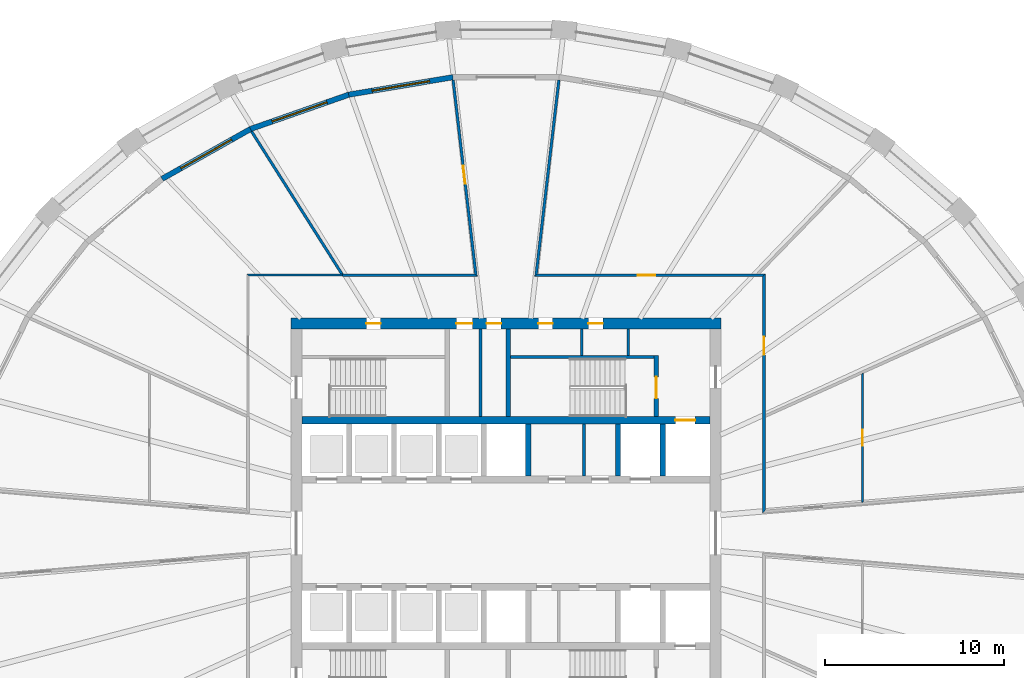
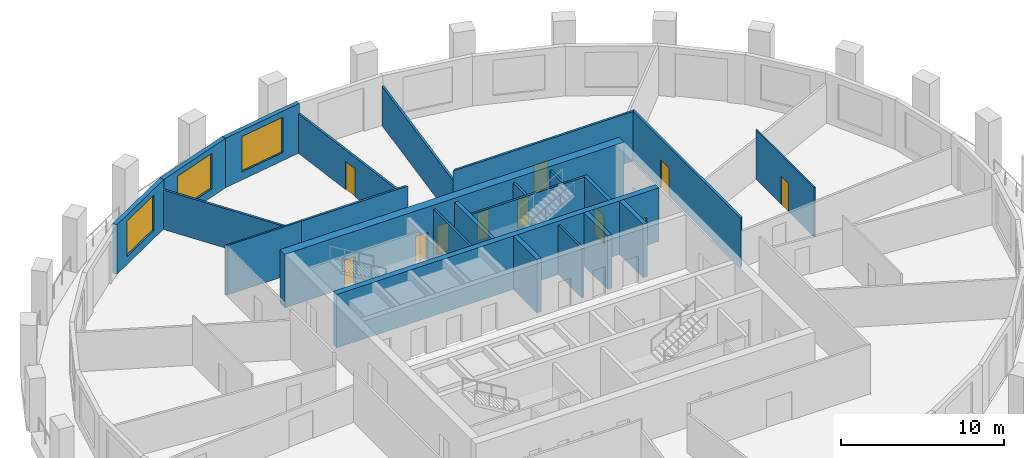
# One storey, part 6 of 10: 23 walls, 11 doors, 3 windows, 14 openings.
"""IFC4 building model written with IfcOpenShell, lengths in metres."""

import ifcopenshell
import ifcopenshell.guid

model = None  # the IFC model being written
_history = None  # IfcOwnerHistory: only IFC2X3 demands one
_inside = {}  # id of a spatial element -> (the spatial element, [elements in it])
_under = {}  # id of a project, library or spatial element -> (it, [spatial elements below it])
_declared = {}  # id of a project -> (the project, [libraries it declares])
_typed = {}  # id of a type object -> (the type object, [elements of that type])
_made_of = {}  # id of a material, layer set ... -> (it, [elements and type objects made of it])


def new_model(schema):
    """Start an empty IFC model of exactly this schema.

    Asked for "IFC4X3", IfcOpenShell would pick the latest addendum, in which some entities
    have other attributes; the version numbers below select the first issue.
    IFC2X3 requires an IfcOwnerHistory on every rooted entity: one is made here for all.
    """
    global model, _history
    if schema == "IFC4X3":
        model = ifcopenshell.file(schema_version=(4, 3, 0, 0))
    else:
        model = ifcopenshell.file(schema=schema)
    _inside.clear()
    _under.clear()
    _declared.clear()
    _typed.clear()
    _made_of.clear()
    _history = None
    if model.schema == "IFC2X3":
        org = make("IfcOrganization", Name="unknown")
        user = make(
            "IfcPersonAndOrganization",
            ThePerson=make("IfcPerson", FamilyName="unknown"),
            TheOrganization=org,
        )
        app = make(
            "IfcApplication",
            ApplicationDeveloper=org,
            Version="unknown",
            ApplicationFullName="unknown",
            ApplicationIdentifier="unknown",
        )
        _history = make(
            "IfcOwnerHistory",
            OwningUser=user,
            OwningApplication=app,
            ChangeAction="ADDED",
            CreationDate=0,
        )
    return model


def make(cls, **values):
    """One entity of the class cls with the attributes given. An attribute that is None is left unset."""
    return model.create_entity(
        cls, **{name: value for name, value in values.items() if value is not None}
    )


def rooted(cls, **values):
    """An entity with a GlobalId (a new one), such as an element, a storey or a relation."""
    return make(cls, GlobalId=ifcopenshell.guid.new(), OwnerHistory=_history, **values)


def si_unit(unit_type, name, prefix=None):
    """IfcSIUnit, for example si_unit("LENGTHUNIT", "METRE", prefix="MILLI")."""
    return make("IfcSIUnit", UnitType=unit_type, Prefix=prefix, Name=name)


def assignment(units):
    """IfcUnitAssignment: the units of a project."""
    return None if units is None else make("IfcUnitAssignment", Units=units)


def point(xyz):
    """IfcCartesianPoint."""
    return None if xyz is None else make("IfcCartesianPoint", Coordinates=xyz)


def direction(xyz):
    """IfcDirection."""
    return None if xyz is None else make("IfcDirection", DirectionRatios=xyz)


def frame(location, z_axis=None, x_axis=None):
    """IfcAxis2Placement3D, a coordinate frame: its origin and axes. An axis left out is left unset."""
    return make(
        "IfcAxis2Placement3D",
        Location=point(location),
        Axis=direction(z_axis),
        RefDirection=direction(x_axis),
    )


def frame_2d(location, x_axis=None):
    """IfcAxis2Placement2D, a coordinate frame in the plane: its origin and x axis."""
    return make(
        "IfcAxis2Placement2D", Location=point(location), RefDirection=direction(x_axis)
    )


def origin():
    """The frame at (0, 0, 0) with its axes left unset."""
    return frame((0.0, 0.0, 0.0))


def place(relative_to, where):
    """IfcLocalPlacement: puts the frame where relative to a parent placement (None: the world)."""
    return make(
        "IfcLocalPlacement", PlacementRelTo=relative_to, RelativePlacement=where
    )


def context(
    kind, dimensions, precision=None, world=None, true_north=None, identifier=None
):
    """IfcGeometricRepresentationContext, for example the 3D "Model" context."""
    return make(
        "IfcGeometricRepresentationContext",
        ContextIdentifier=identifier,
        ContextType=kind,
        CoordinateSpaceDimension=dimensions,
        Precision=precision,
        WorldCoordinateSystem=world,
        TrueNorth=true_north,
    )


def subcontext(parent, identifier, kind, view, scale=None):
    """IfcGeometricRepresentationSubContext, for example "Body" below "Model"."""
    return make(
        "IfcGeometricRepresentationSubContext",
        ContextIdentifier=identifier,
        ContextType=kind,
        ParentContext=parent,
        TargetScale=scale,
        TargetView=view,
    )


def project(units=None, contexts=None):
    """IfcProject with its units and contexts."""
    return rooted(
        "IfcProject",
        Name="project",
        RepresentationContexts=contexts,
        UnitsInContext=assignment(units),
    )


def spatial(cls, under=None, at=None, **own):
    """A site, building, storey or space (cls), placed at a placement, below another one or the project."""
    s = rooted(cls, ObjectPlacement=at, **own)
    if under is not None:
        _under.setdefault(under.id(), (under, []))[1].append(s)
    return s


def polyline(points):
    """IfcPolyline through the points."""
    return make("IfcPolyline", Points=[point(p) for p in points])


def profile(cls, at=None, kind="AREA", **sizes):
    """A parametric profile (cls). Its sizes go by their IFC names, for example OverallWidth=200.0."""
    return make(cls, ProfileType=kind, Position=at, **sizes)


def rectangle(**sizes):
    """IfcRectangleProfileDef."""
    return profile("IfcRectangleProfileDef", **sizes)


def outline(outer, holes=None, kind="AREA"):
    """IfcArbitraryClosedProfileDef: a profile drawn as a closed curve; with holes, ...WithVoids."""
    if holes is None:
        return make("IfcArbitraryClosedProfileDef", ProfileType=kind, OuterCurve=outer)
    return make(
        "IfcArbitraryProfileDefWithVoids",
        ProfileType=kind,
        OuterCurve=outer,
        InnerCurves=holes,
    )


def extrude(swept, where, along, depth):
    """IfcExtrudedAreaSolid: the profile swept, set in the frame where, extruded along a direction by depth."""
    return make(
        "IfcExtrudedAreaSolid",
        SweptArea=swept,
        Position=where,
        ExtrudedDirection=direction(along),
        Depth=depth,
    )


def shape(context_of_items, identifier, shape_type, items):
    """IfcShapeRepresentation: the items that make up one representation, for example the "Body"."""
    return make(
        "IfcShapeRepresentation",
        ContextOfItems=context_of_items,
        RepresentationIdentifier=identifier,
        RepresentationType=shape_type,
        Items=items,
    )


def material(Name=None, Category=None):
    """IfcMaterial."""
    return make("IfcMaterial", Name=Name, Category=Category)


def layer(
    of_material, thickness, ventilated=None, Name=None, Category=None, Priority=None
):
    """IfcMaterialLayer: one layer of a wall or slab, of a material (None: an air gap)."""
    return make(
        "IfcMaterialLayer",
        Material=of_material,
        LayerThickness=thickness,
        IsVentilated=ventilated,
        Name=Name,
        Category=Category,
        Priority=Priority,
    )


def layer_set(layers, Name=None):
    """IfcMaterialLayerSet."""
    return make("IfcMaterialLayerSet", MaterialLayers=layers, LayerSetName=Name)


def made_of(thing, what):
    """Note that an element or type object is made of a material, layer set ...; save() writes the relation."""
    if what is not None:
        _made_of.setdefault(what.id(), (what, []))[1].append(thing)
    return thing


def type_object(cls, material=None, **own):
    """A type object (cls), such as IfcWallType, which elements share."""
    return made_of(rooted(cls, **own), material)


def element(
    cls,
    number,
    at=None,
    inside=None,
    cuts=None,
    type_object=None,
    material=None,
    context=None,
    identifier="Body",
    shape_type=None,
    held_by="IfcProductDefinitionShape",
    body=None,
    shapes=None,
    **own,
):
    """One element of the class cls, such as IfcWall. Its Tag is "e" and its number.

    at: its placement. inside: the storey or other place that contains it. cuts: it is an
    opening in that element (IfcRelVoidsElement). A single representation is given by context,
    identifier, shape_type and body (its items); several are given by shapes. held_by: the class
    of the entity that holds the representations. save() writes the other relations.
    """
    e = rooted(cls, Tag="e%d" % number, ObjectPlacement=at, **own)
    if body is not None:
        shapes = [shape(context, identifier, shape_type, body)]
    if shapes is not None:
        e.Representation = make(held_by, Representations=shapes)
    if inside is not None:
        _inside.setdefault(inside.id(), (inside, []))[1].append(e)
    if cuts is not None:
        rooted(
            "IfcRelVoidsElement", RelatingBuildingElement=cuts, RelatedOpeningElement=e
        )
    if type_object is not None:
        _typed.setdefault(type_object.id(), (type_object, []))[1].append(e)
    return made_of(e, material)


def fill(opening, filler):
    """IfcRelFillsElement: the door or window that sits in an opening."""
    return rooted(
        "IfcRelFillsElement",
        RelatingOpeningElement=opening,
        RelatedBuildingElement=filler,
    )


def aggregate(whole, parts):
    """IfcRelAggregates: a whole, such as a stair, and the parts it consists of."""
    return rooted("IfcRelAggregates", RelatingObject=whole, RelatedObjects=parts)


def save(model, path):
    """Write the relations noted so far, then the file.

    IfcRelAggregates (storeys below a building ...), IfcRelContainedInSpatialStructure (elements
    in a storey), IfcRelDefinesByType, IfcRelAssociatesMaterial and IfcRelDeclares: one each for
    every whole, place, type object, material and project.
    """
    for whole, parts in _under.values():
        aggregate(whole, parts)
    for where, things in _inside.values():
        rooted(
            "IfcRelContainedInSpatialStructure",
            RelatedElements=things,
            RelatingStructure=where,
        )
    for kind, things in _typed.values():
        rooted("IfcRelDefinesByType", RelatedObjects=things, RelatingType=kind)
    for what, things in _made_of.values():
        rooted("IfcRelAssociatesMaterial", RelatedObjects=things, RelatingMaterial=what)
    for by, libraries in _declared.values():
        rooted("IfcRelDeclares", RelatingContext=by, RelatedDefinitions=libraries)
    model.write(path)


model = new_model("IFC4")

# Units and contexts
model_context = context("Model", 3, precision=1e-05, world=origin(), true_north=direction((0.0, 1.0)))
body_context = subcontext(model_context, "Body", "Model", "MODEL_VIEW")
ifc_project = project(units=[si_unit("LENGTHUNIT", "METRE"), si_unit("AREAUNIT", "SQUARE_METRE"), si_unit("VOLUMEUNIT", "CUBIC_METRE"), si_unit("PLANEANGLEUNIT", "RADIAN"), si_unit("MASSUNIT", "GRAM", prefix="KILO")], contexts=[model_context])

# Site, building, storey
site_placement = place(None, origin())
site = spatial("IfcSite", under=ifc_project, at=site_placement, CompositionType="ELEMENT")
building_placement = place(site_placement, origin())
building = spatial("IfcBuilding", under=site, at=building_placement, Name="Halqa Exchange Tower", CompositionType="ELEMENT")
storey_placement = place(building_placement, frame((0.0, 0.0, 182.89990234375)))
storey = spatial("IfcBuildingStorey", under=building, at=storey_placement, Name="L41", CompositionType="ELEMENT", Elevation=182.89990234375)

# Walls
ifc_material_1 = material(Name="Fire-rated gypsum board")
ifc_layer_1 = layer(ifc_material_1, 0.14990234375)
ifc_layer_set_1 = layer_set([ifc_layer_1], Name="Fire-rated gypsum board")
wall_type_1 = type_object("IfcWallType", Name="Fire partition EI 60 150", PredefinedType="PARTITIONING", material=ifc_layer_set_1)
wall_1_placement = place(storey_placement, frame((-9.14208984375, 14.43505859375, 0.0), z_axis=(0.0, 0.0, 1.0), x_axis=(-0.535245013247, 0.844696854377, 0.0)))
element("IfcWall", 1, at=wall_1_placement, inside=storey, type_object=wall_type_1, Name="L41-PWL-009", PredefinedType="PARTITIONING", context=body_context, shape_type="SweptSolid", body=[
    extrude(outline(polyline([(0.0, -0.074951171875), (1.88623046875, -0.074951171875), (3.772705078125, -0.074951171875), (5.658935546875, -0.074951171875), (7.545166015625, -0.074951171875), (9.431640625, -0.074951171875), (9.44873046875, -0.000732421875), (9.452392578125, 0.068603515625), (9.452392578125, 0.074951171875), (7.577392578125, 0.074951171875), (5.7021484375, 0.074951171875), (3.8271484375, 0.074951171875), (1.9521484375, 0.074951171875), (0.076904296875, 0.074951171875), (0.00927734375, -0.031982421875), (0.02197265625, -0.0400390625), (0.0, -0.07470703125), (0.0, -0.074951171875)])), origin(), (0.0, 0.0, 1.0), 2.947021484375),
])
wall_2_placement = place(storey_placement, frame((-9.1201171875, 14.39990234375, 0.0), z_axis=(0.0, 0.0, 1.0), x_axis=(1.0, 0.0, 0.0)))
element("IfcWall", 2, at=wall_2_placement, inside=storey, type_object=wall_type_1, Name="L41-PWL-010", PredefinedType="PARTITIONING", context=body_context, shape_type="SweptSolid", body=[
    extrude(outline(polyline([(7.5244140625, -0.074951171875), (7.5244140625, -0.074951171875), (7.35595703125, 0.074951171875), (5.51708984375, 0.074951171875), (3.677978515625, 0.074951171875), (1.839111328125, 0.074951171875), (0.0, 0.074951171875), (0.0, -0.074951171875), (1.881103515625, -0.074951171875), (3.76220703125, -0.074951171875), (5.643310546875, -0.074951171875), (7.5244140625, -0.074951171875)])), origin(), (0.0, 0.0, 1.0), 3.7001953125),
])

# Wall, opening, door
wall_3_placement = place(storey_placement, frame((-1.670166015625, 14.31640625, 0.0), z_axis=(0.0, 0.0, 1.0), x_axis=(-0.116172056535, 0.993229104125, 0.0)))
wall_3 = element("IfcWall", 3, at=wall_3_placement, inside=storey, type_object=wall_type_1, Name="L41-PWL-013", PredefinedType="PARTITIONING", context=body_context, shape_type="SweptSolid", body=[
    extrude(outline(polyline([(0.0, -0.074951171875), (1.8408203125, -0.074951171875), (3.681884765625, -0.074951171875), (5.522705078125, -0.074951171875), (7.363525390625, -0.074951171875), (9.20458984375, -0.074951171875), (11.04541015625, -0.074951171875), (11.0498046875, -0.037109375), (11.0498046875, 0.074951171875), (9.236328125, 0.074951171875), (7.422607421875, 0.074951171875), (5.609130859375, 0.074951171875), (3.79541015625, 0.074951171875), (1.98193359375, 0.074951171875), (0.16845703125, 0.074951171875), (0.084228515625, 0.0), (0.0, -0.074951171875), (0.0, -0.074951171875)])), origin(), (0.0, 0.0, 1.0), 2.947021484375),
])
opening_1_placement = place(wall_3_placement, frame((5.222412109375, 0.0, 0.0)))
opening_1 = element("IfcOpeningElement", 4, at=opening_1_placement, cuts=wall_3, Name="Opening 12-01", PredefinedType="OPENING", context=body_context, shape_type="SweptSolid", body=[
    extrude(rectangle(XDim=1.0, YDim=2.10009765625, at=frame_2d((0.5, 1.050048828125))), frame((0.0, 0.0869140625, 0.0), z_axis=(0.0, -1.0, 0.0), x_axis=(1.0, 0.0, 0.0)), (0.0, 0.0, 1.0), 0.173828125),
])
ifc_material_2 = material(Name="Steel fire door leaf", Category="steel")
door_type_1 = type_object("IfcDoorType", Name="Fire door FD30S 1000 x 2100", OperationType="SINGLE_SWING_LEFT", PredefinedType="DOOR", material=ifc_material_2)
door_1_placement = place(opening_1_placement, origin())
door_1 = element("IfcDoor", 5, at=door_1_placement, inside=storey, type_object=door_type_1, Name="L41-IDR-001", OperationType="SINGLE_SWING_LEFT", OverallHeight=2.10009765625, OverallWidth=1.0, PredefinedType="DOOR", context=body_context, shape_type="SweptSolid", body=[
    extrude(rectangle(XDim=1.0, YDim=2.10009765625, at=frame_2d((0.5, 1.050048828125))), frame((0.0, 0.02490234375, 0.0), z_axis=(0.0, -1.0, 0.0), x_axis=(1.0, 0.0, 0.0)), (0.0, 0.0, 1.0), 0.050048828125),
])
fill(opening_1, door_1)

wall_4_placement = place(storey_placement, frame((1.595703125, 14.39990234375, 0.0), z_axis=(0.0, 0.0, 1.0), x_axis=(1.0, 0.0, 0.0)))
wall_4 = element("IfcWall", 6, at=wall_4_placement, inside=storey, type_object=wall_type_1, Name="L41-PWL-015", PredefinedType="PARTITIONING", context=body_context, shape_type="SweptSolid", body=[
    extrude(outline(polyline([(0.0, -0.074951171875), (1.818359375, -0.074951171875), (3.636962890625, -0.074951171875), (5.455322265625, -0.074951171875), (7.27392578125, -0.074951171875), (9.09228515625, -0.074951171875), (10.910888671875, -0.074951171875), (12.729248046875, -0.074951171875), (12.879150390625, 0.074951171875), (11.063232421875, 0.074951171875), (9.24755859375, 0.074951171875), (7.431640625, 0.074951171875), (5.615966796875, 0.074951171875), (3.800048828125, 0.074951171875), (1.984130859375, 0.074951171875), (0.16845703125, 0.074951171875), (0.0, -0.074951171875), (0.0, -0.074951171875)])), origin(), (0.0, 0.0, 1.0), 3.7001953125),
])
opening_2_placement = place(wall_4_placement, frame((5.744384765625, 0.0, 0.0)))
opening_2 = element("IfcOpeningElement", 7, at=opening_2_placement, cuts=wall_4, Name="Opening 12-10", PredefinedType="OPENING", context=body_context, shape_type="SweptSolid", body=[
    extrude(rectangle(XDim=1.0, YDim=2.10009765625, at=frame_2d((0.5, 1.050048828125))), frame((0.0, 0.0869140625, 0.0), z_axis=(0.0, -1.0, 0.0), x_axis=(1.0, 0.0, 0.0)), (0.0, 0.0, 1.0), 0.173828125),
])
door_2_placement = place(opening_2_placement, origin())
door_2 = element("IfcDoor", 8, at=door_2_placement, inside=storey, type_object=door_type_1, Name="L41-IDR-010", OperationType="SINGLE_SWING_RIGHT", OverallHeight=2.10009765625, OverallWidth=1.0, PredefinedType="DOOR", context=body_context, shape_type="SweptSolid", body=[
    extrude(rectangle(XDim=1.0, YDim=2.10009765625, at=frame_2d((0.5, 1.050048828125))), frame((0.0, 0.02490234375, 0.0), z_axis=(0.0, -1.0, 0.0), x_axis=(1.0, 0.0, 0.0)), (0.0, 0.0, 1.0), 0.050048828125),
])
fill(opening_2, door_2)

# Wall
wall_5_placement = place(storey_placement, frame((2.953857421875, 25.29150390625, 0.0), z_axis=(0.0, 0.0, 1.0), x_axis=(-0.116172056535, -0.993229104125, 0.0)))
element("IfcWall", 9, at=wall_5_placement, inside=storey, type_object=wall_type_1, Name="L41-PWL-016", PredefinedType="PARTITIONING", context=body_context, shape_type="SweptSolid", body=[
    extrude(outline(polyline([(11.0498046875, -0.074951171875), (11.0498046875, -0.07470703125), (10.9658203125, 0.0), (10.881591796875, 0.074951171875), (9.06787109375, 0.074951171875), (7.25439453125, 0.074951171875), (5.440673828125, 0.074951171875), (3.627197265625, 0.074951171875), (1.8134765625, 0.074951171875), (0.0, 0.074951171875), (0.0, -0.0361328125), (0.004638671875, -0.074951171875), (1.845458984375, -0.074951171875), (3.686279296875, -0.074951171875), (5.527099609375, -0.074951171875), (7.3681640625, -0.074951171875), (9.208984375, -0.074951171875), (11.0498046875, -0.074951171875)])), origin(), (0.0, 0.0, 1.0), 2.947021484375),
])

# Wall, opening, door
wall_6_placement = place(storey_placement, frame((14.39990234375, 1.118408203125, 0.0), z_axis=(0.0, 0.0, 1.0), x_axis=(0.0, 1.0, 0.0)))
wall_6 = element("IfcWall", 10, at=wall_6_placement, inside=storey, type_object=wall_type_1, Name="L41-PWL-022", PredefinedType="PARTITIONING", context=body_context, shape_type="SweptSolid", body=[
    extrude(outline(polyline([(0.162841796875, -0.074951171875), (2.047607421875, -0.074951171875), (3.9326171875, -0.074951171875), (5.8173828125, -0.074951171875), (7.7021484375, -0.074951171875), (9.5869140625, -0.074951171875), (11.4716796875, -0.074951171875), (13.3564453125, -0.074951171875), (13.20654296875, 0.074951171875), (11.31982421875, 0.074951171875), (9.433349609375, 0.074951171875), (7.546630859375, 0.074951171875), (5.659912109375, 0.074951171875), (3.7734375, 0.074951171875), (1.88671875, 0.074951171875), (0.0, 0.074951171875), (0.162841796875, -0.074951171875)])), origin(), (0.0, 0.0, 1.0), 3.7001953125),
])
opening_3_placement = place(wall_6_placement, frame((8.83154296875, 0.0, 0.0)))
opening_3 = element("IfcOpeningElement", 11, at=opening_3_placement, cuts=wall_6, Name="Opening 12-09", PredefinedType="OPENING", context=body_context, shape_type="SweptSolid", body=[
    extrude(rectangle(XDim=1.0, YDim=2.10009765625, at=frame_2d((0.5, 1.050048828125))), frame((0.0, 0.0869140625, 0.0), z_axis=(0.0, -1.0, 0.0), x_axis=(1.0, 0.0, 0.0)), (0.0, 0.0, 1.0), 0.173828125),
])
door_3_placement = place(opening_3_placement, frame((1.0, 0.0, 0.0), z_axis=(0.0, 0.0, 1.0), x_axis=(-1.0, 0.0, 0.0)))
door_3 = element("IfcDoor", 12, at=door_3_placement, inside=storey, type_object=door_type_1, Name="L41-IDR-009", OperationType="SINGLE_SWING_LEFT", OverallHeight=2.10009765625, OverallWidth=1.0, PredefinedType="DOOR", context=body_context, shape_type="SweptSolid", body=[
    extrude(rectangle(XDim=1.0, YDim=2.10009765625, at=frame_2d((0.5, 1.050048828125))), frame((0.0, 0.02490234375, 0.0), z_axis=(0.0, -1.0, 0.0), x_axis=(1.0, 0.0, 0.0)), (0.0, 0.0, 1.0), 0.050048828125),
])
fill(opening_3, door_3)

# Wall
ifc_material_3 = material(Name="Fire-rated glazing", Category="glass")
ifc_layer_2 = layer(ifc_material_3, 0.1201171875)
ifc_layer_set_2 = layer_set([ifc_layer_2], Name="Fire-rated glazing")
wall_type_2 = type_object("IfcWallType", Name="Glazed fire partition EI 60 120", PredefinedType="PARTITIONING", material=ifc_layer_set_2)
wall_7_placement = place(storey_placement, frame((-14.4599609375, 14.39990234375, 0.0), z_axis=(0.0, 0.0, 1.0), x_axis=(1.0, 0.0, 0.0)))
element("IfcWall", 13, at=wall_7_placement, inside=storey, type_object=wall_type_2, Name="L41-PWL-008", PredefinedType="PARTITIONING", context=body_context, shape_type="SweptSolid", body=[
    extrude(outline(polyline([(5.33984375, 0.06005859375), (3.559814453125, 0.06005859375), (1.780029296875, 0.06005859375), (0.0, 0.06005859375), (0.1201171875, -0.06005859375), (1.860107421875, -0.06005859375), (3.599853515625, -0.06005859375), (5.33984375, -0.06005859375), (5.33984375, 0.06005859375)])), origin(), (0.0, 0.0, 1.0), 3.7001953125),
])

# Wall, opening, door
ifc_material_4 = material(Name="Gypsum board")
ifc_layer_3 = layer(ifc_material_4, 0.10009765625)
ifc_layer_set_3 = layer_set([ifc_layer_3], Name="Gypsum board")
wall_type_3 = type_object("IfcWallType", Name="Partition 100 gypsum", PredefinedType="PARTITIONING", material=ifc_layer_set_3)
wall_8_placement = place(storey_placement, frame((19.89990234375, 8.919921875, 0.0), z_axis=(0.0, 0.0, 1.0), x_axis=(0.0, -1.0, 0.0)))
wall_8 = element("IfcWall", 14, at=wall_8_placement, inside=storey, type_object=wall_type_3, Name="L41-PWL-027", PredefinedType="PARTITIONING", context=body_context, shape_type="SweptSolid", body=[
    extrude(outline(polyline([(7.19140625, -0.050048828125), (7.19140625, -0.0478515625), (7.183349609375, 0.050048828125), (5.387451171875, 0.050048828125), (3.591552734375, 0.050048828125), (1.7958984375, 0.050048828125), (0.0, 0.050048828125), (0.0, 0.04931640625), (0.044921875, -0.050048828125), (1.83154296875, -0.050048828125), (3.6181640625, -0.050048828125), (5.40478515625, -0.050048828125), (7.19140625, -0.050048828125)])), origin(), (0.0, 0.0, 1.0), 3.7001953125),
])
opening_4_placement = place(wall_8_placement, frame((3.14990234375, 0.0, 0.0)))
opening_4 = element("IfcOpeningElement", 15, at=opening_4_placement, cuts=wall_8, Name="Opening 12-13", PredefinedType="OPENING", context=body_context, shape_type="SweptSolid", body=[
    extrude(rectangle(XDim=0.89990234375, YDim=2.10009765625, at=frame_2d((0.449951171875, 1.050048828125))), frame((0.0, 0.06201171875, 0.0), z_axis=(0.0, -1.0, 0.0), x_axis=(1.0, 0.0, 0.0)), (0.0, 0.0, 1.0), 0.1240234375),
])
ifc_material_5 = material(Name="Timber door leaf", Category="wood")
door_type_2 = type_object("IfcDoorType", Name="Door 900 x 2100", OperationType="SINGLE_SWING_LEFT", PredefinedType="DOOR", material=ifc_material_5)
door_4_placement = place(opening_4_placement, frame((0.89990234375, 0.0, 0.0), z_axis=(0.0, 0.0, 1.0), x_axis=(-1.0, 0.0, 0.0)))
door_4 = element("IfcDoor", 16, at=door_4_placement, inside=storey, type_object=door_type_2, Name="L41-IDR-013", OperationType="SINGLE_SWING_LEFT", OverallHeight=2.10009765625, OverallWidth=0.89990234375, PredefinedType="DOOR", context=body_context, shape_type="SweptSolid", body=[
    extrude(rectangle(XDim=0.89990234375, YDim=2.10009765625, at=frame_2d((0.449951171875, 1.050048828125))), frame((0.0, 0.02490234375, 0.0), z_axis=(0.0, -1.0, 0.0), x_axis=(1.0, 0.0, 0.0)), (0.0, 0.0, 1.0), 0.050048828125),
])
fill(opening_4, door_4)

# Walls
ifc_layer_4 = layer(ifc_material_4, 0.14990234375)
ifc_layer_set_4 = layer_set([ifc_layer_4], Name="Gypsum board")
wall_type_4 = type_object("IfcWallType", Name="Penthouse riser wall 150 gypsum", PredefinedType="PARTITIONING", material=ifc_layer_set_4)
wall_9_placement = place(storey_placement, frame((-1.425048828125, 6.5, 0.0), z_axis=(0.0, 0.0, 1.0), x_axis=(0.0, 1.0, 0.0)))
element("IfcWall", 17, at=wall_9_placement, inside=storey, type_object=wall_type_4, Name="Partition W1.425 N", PredefinedType="PARTITIONING", context=body_context, shape_type="SweptSolid", body=[
    extrude(rectangle(XDim=4.89990234375, YDim=0.14990234375, at=frame_2d((2.449951171875, 0.0))), origin(), (0.0, 0.0, 1.0), 3.7001953125),
])
for number, where, z_axis, x_axis, name in (
    (18, (4.22509765625, 9.89990234375, 0.0), (0.0, 0.0, 1.0), (0.0, 1.0, 0.0), "Partition E4.225 N"),
    (19, (6.824951171875, 9.89990234375, 0.0), (0.0, 0.0, 1.0), (0.0, 1.0, 0.0), "Firefighting lobby west wall N"),
):
    element("IfcWall", number, at=place(storey_placement, frame(where, z_axis=z_axis, x_axis=x_axis)), inside=storey, type_object=wall_type_4, Name=name, PredefinedType="PARTITIONING", context=body_context, shape_type="SweptSolid", body=[
        extrude(rectangle(XDim=1.5, YDim=0.14990234375, at=frame_2d((0.75, 0.0))), origin(), (0.0, 0.0, 1.0), 3.7001953125),
    ])
wall_10_placement = place(storey_placement, frame((4.35009765625, 3.199951171875, 0.0), z_axis=(0.0, 0.0, 1.0), x_axis=(0.0, 1.0, 0.0)))
element("IfcWall", 20, at=wall_10_placement, inside=storey, type_object=wall_type_4, Name="Freed bay partition NE4.350", PredefinedType="PARTITIONING", context=body_context, shape_type="SweptSolid", body=[
    extrude(rectangle(XDim=2.900146484375, YDim=0.14990234375, at=frame_2d((1.4501953125, 0.0))), origin(), (0.0, 0.0, 1.0), 3.7001953125),
])
ifc_material_6 = material(Name="Concrete C60/75", Category="concrete")
ifc_layer_5 = layer(ifc_material_6, 0.300048828125)
ifc_layer_set_5 = layer_set([ifc_layer_5], Name="Concrete C60/75")
wall_type_5 = type_object("IfcWallType", Name="RC core wall 300", PredefinedType="SHEAR", material=ifc_layer_set_5)
for number, where, z_axis, x_axis, name in (
    (21, (1.25, 3.199951171875, 0.0), (0.0, 0.0, 1.0), (0.0, 1.0, 0.0), "Shaft divider N5"),
    (22, (6.25, 3.199951171875, 0.0), (0.0, 0.0, 1.0), (0.0, 1.0, 0.0), "Shaft divider N7"),
    (23, (8.75, 3.199951171875, 0.0), (0.0, 0.0, 1.0), (0.0, 1.0, 0.0), "Shaft divider N8"),
):
    element("IfcWall", number, at=place(storey_placement, frame(where, z_axis=z_axis, x_axis=x_axis)), inside=storey, type_object=wall_type_5, Name=name, PredefinedType="SHEAR", context=body_context, shape_type="SweptSolid", body=[
        extrude(rectangle(XDim=2.900146484375, YDim=0.300048828125, at=frame_2d((1.4501953125, 0.0))), origin(), (0.0, 0.0, 1.0), 4.0),
    ])

# Wall, opening, door
ifc_material_7 = material(Name="Concrete C70/85", Category="concrete")
ifc_layer_6 = layer(ifc_material_7, 0.39990234375)
ifc_layer_set_6 = layer_set([ifc_layer_6], Name="Concrete C70/85")
wall_type_6 = type_object("IfcWallType", Name="RC core wall 400 C70/85", PredefinedType="SHEAR", material=ifc_layer_set_6)
wall_11_placement = place(storey_placement, frame((-11.39990234375, 6.300048828125, 0.0), z_axis=(0.0, 0.0, 1.0), x_axis=(1.0, 0.0, 0.0)))
wall_11 = element("IfcWall", 24, at=wall_11_placement, inside=storey, type_object=wall_type_6, Name="Lift row back wall N", PredefinedType="SHEAR", context=body_context, shape_type="SweptSolid", body=[
    extrude(rectangle(XDim=22.7998046875, YDim=0.39990234375, at=frame_2d((11.39990234375, 0.0))), origin(), (0.0, 0.0, 1.0), 4.0),
])
opening_5_placement = place(wall_11_placement, frame((20.85009765625, 0.0, 0.0)))
opening_5 = element("IfcOpeningElement", 25, at=opening_5_placement, cuts=wall_11, Name="Opening LD-FF1-T12", PredefinedType="OPENING", context=body_context, shape_type="SweptSolid", body=[
    extrude(rectangle(XDim=1.10009765625, YDim=2.10009765625, at=frame_2d((0.550048828125, 1.050048828125))), frame((0.0, 0.2119140625, 0.0), z_axis=(0.0, -1.0, 0.0), x_axis=(1.0, 0.0, 0.0)), (0.0, 0.0, 1.0), 0.423828125),
])
ifc_material_8 = material(Name="Stainless steel", Category="steel")
door_type_3 = type_object("IfcDoorType", Name="Lift landing door 1100 x 2100", OperationType="SLIDING_TO_LEFT", PredefinedType="DOOR", material=ifc_material_8)
door_5_placement = place(opening_5_placement, origin())
door_5 = element("IfcDoor", 26, at=door_5_placement, inside=storey, type_object=door_type_3, Name="Lift landing door FF1", OperationType="SLIDING_TO_LEFT", OverallHeight=2.10009765625, OverallWidth=1.10009765625, PredefinedType="DOOR", context=body_context, shape_type="SweptSolid", body=[
    extrude(rectangle(XDim=1.10009765625, YDim=2.10009765625, at=frame_2d((0.550048828125, 1.050048828125))), frame((0.0, 0.02490234375, 0.0), z_axis=(0.0, -1.0, 0.0), x_axis=(1.0, 0.0, 0.0)), (0.0, 0.0, 1.0), 0.050048828125),
])
fill(opening_5, door_5)

# Wall, openings, doors
ifc_layer_7 = layer(ifc_material_7, 0.60009765625)
ifc_layer_set_7 = layer_set([ifc_layer_7], Name="Concrete C70/85")
wall_type_7 = type_object("IfcWallType", Name="RC core wall 600 C70/85", PredefinedType="SHEAR", material=ifc_layer_set_7)
wall_12_placement = place(storey_placement, frame((-12.0, 11.699951171875, 0.0), z_axis=(0.0, 0.0, 1.0), x_axis=(1.0, 0.0, 0.0)))
wall_12 = element("IfcWall", 27, at=wall_12_placement, inside=storey, type_object=wall_type_7, Name="Core wall north", PredefinedType="SHEAR", context=body_context, shape_type="SweptSolid", body=[
    extrude(rectangle(XDim=24.0, YDim=0.60009765625, at=frame_2d((12.0, 0.0))), origin(), (0.0, 0.0, 1.0), 4.0),
])
opening_6_placement = place(wall_12_placement, frame((9.22509765625, 0.0, 0.0)))
opening_6 = element("IfcOpeningElement", 28, at=opening_6_placement, cuts=wall_12, Name="Opening T12-C21", PredefinedType="OPENING", context=body_context, shape_type="SweptSolid", body=[
    extrude(rectangle(XDim=0.89990234375, YDim=2.10009765625, at=frame_2d((0.449951171875, 1.050048828125))), frame((0.0, 0.31201171875, 0.0), z_axis=(0.0, -1.0, 0.0), x_axis=(1.0, 0.0, 0.0)), (0.0, 0.0, 1.0), 0.6240234375),
])
opening_7_placement = place(wall_12_placement, frame((10.925048828125, 0.0, 0.0)))
opening_7 = element("IfcOpeningElement", 29, at=opening_7_placement, cuts=wall_12, Name="Opening T12-C22", PredefinedType="OPENING", context=body_context, shape_type="SweptSolid", body=[
    extrude(rectangle(XDim=0.800048828125, YDim=2.10009765625, at=frame_2d((0.39990234375, 1.050048828125))), frame((0.0, 0.31201171875, 0.0), z_axis=(0.0, -1.0, 0.0), x_axis=(1.0, 0.0, 0.0)), (0.0, 0.0, 1.0), 0.6240234375),
])
opening_8_placement = place(wall_12_placement, frame((4.199951171875, 0.0, 0.0)))
opening_8 = element("IfcOpeningElement", 30, at=opening_8_placement, cuts=wall_12, Name="Opening T12-C23", PredefinedType="OPENING", context=body_context, shape_type="SweptSolid", body=[
    extrude(rectangle(XDim=0.800048828125, YDim=2.10009765625, at=frame_2d((0.39990234375, 1.050048828125))), frame((0.0, 0.31201171875, 0.0), z_axis=(0.0, -1.0, 0.0), x_axis=(1.0, 0.0, 0.0)), (0.0, 0.0, 1.0), 0.6240234375),
])
opening_9_placement = place(wall_12_placement, frame((13.800048828125, 0.0, 0.0)))
opening_9 = element("IfcOpeningElement", 31, at=opening_9_placement, cuts=wall_12, Name="Opening T12-C24", PredefinedType="OPENING", context=body_context, shape_type="SweptSolid", body=[
    extrude(rectangle(XDim=0.800048828125, YDim=2.10009765625, at=frame_2d((0.39990234375, 1.050048828125))), frame((0.0, 0.31201171875, 0.0), z_axis=(0.0, -1.0, 0.0), x_axis=(1.0, 0.0, 0.0)), (0.0, 0.0, 1.0), 0.6240234375),
])
opening_10_placement = place(wall_12_placement, frame((16.60009765625, 0.0, 0.0)))
opening_10 = element("IfcOpeningElement", 32, at=opening_10_placement, cuts=wall_12, Name="Opening T12-C25", PredefinedType="OPENING", context=body_context, shape_type="SweptSolid", body=[
    extrude(rectangle(XDim=0.800048828125, YDim=2.10009765625, at=frame_2d((0.39990234375, 1.050048828125))), frame((0.0, 0.31201171875, 0.0), z_axis=(0.0, -1.0, 0.0), x_axis=(1.0, 0.0, 0.0)), (0.0, 0.0, 1.0), 0.6240234375),
])
ifc_material_9 = material(Name="Timber fire door leaf", Category="wood")
door_type_4 = type_object("IfcDoorType", Name="Core room door FD30 900 x 2100", OperationType="SINGLE_SWING_LEFT", PredefinedType="DOOR", material=ifc_material_9)
door_6_placement = place(opening_6_placement, frame((0.89990234375, 0.0, 0.0), z_axis=(0.0, 0.0, 1.0), x_axis=(-1.0, 0.0, 0.0)))
door_6 = element("IfcDoor", 33, at=door_6_placement, inside=storey, type_object=door_type_4, Name="Core room door", OperationType="SINGLE_SWING_RIGHT", OverallHeight=2.10009765625, OverallWidth=0.89990234375, PredefinedType="DOOR", context=body_context, shape_type="SweptSolid", body=[
    extrude(rectangle(XDim=0.89990234375, YDim=2.10009765625, at=frame_2d((0.449951171875, 1.050048828125))), frame((0.0, 0.02490234375, 0.0), z_axis=(0.0, -1.0, 0.0), x_axis=(1.0, 0.0, 0.0)), (0.0, 0.0, 1.0), 0.050048828125),
])
fill(opening_6, door_6)
door_type_5 = type_object("IfcDoorType", Name="Riser door FD60 800 x 2100", OperationType="SINGLE_SWING_LEFT", PredefinedType="DOOR", material=ifc_material_2)
door_7_placement = place(opening_7_placement, frame((0.800048828125, 0.0, 0.0), z_axis=(0.0, 0.0, 1.0), x_axis=(-1.0, 0.0, 0.0)))
door_7 = element("IfcDoor", 34, at=door_7_placement, inside=storey, type_object=door_type_5, Name="Core room door", OperationType="SINGLE_SWING_RIGHT", OverallHeight=2.10009765625, OverallWidth=0.800048828125, PredefinedType="DOOR", context=body_context, shape_type="SweptSolid", body=[
    extrude(rectangle(XDim=0.800048828125, YDim=2.10009765625, at=frame_2d((0.39990234375, 1.050048828125))), frame((0.0, 0.02490234375, 0.0), z_axis=(0.0, -1.0, 0.0), x_axis=(1.0, 0.0, 0.0)), (0.0, 0.0, 1.0), 0.050048828125),
])
fill(opening_7, door_7)
door_8_placement = place(opening_8_placement, frame((0.800048828125, 0.0, 0.0), z_axis=(0.0, 0.0, 1.0), x_axis=(-1.0, 0.0, 0.0)))
door_8 = element("IfcDoor", 35, at=door_8_placement, inside=storey, type_object=door_type_5, Name="Core room door", OperationType="SINGLE_SWING_RIGHT", OverallHeight=2.10009765625, OverallWidth=0.800048828125, PredefinedType="DOOR", context=body_context, shape_type="SweptSolid", body=[
    extrude(rectangle(XDim=0.800048828125, YDim=2.10009765625, at=frame_2d((0.39990234375, 1.050048828125))), frame((0.0, 0.02490234375, 0.0), z_axis=(0.0, -1.0, 0.0), x_axis=(1.0, 0.0, 0.0)), (0.0, 0.0, 1.0), 0.050048828125),
])
fill(opening_8, door_8)
door_9_placement = place(opening_9_placement, frame((0.800048828125, 0.0, 0.0), z_axis=(0.0, 0.0, 1.0), x_axis=(-1.0, 0.0, 0.0)))
door_9 = element("IfcDoor", 36, at=door_9_placement, inside=storey, type_object=door_type_5, Name="Core room door", OperationType="SINGLE_SWING_LEFT", OverallHeight=2.10009765625, OverallWidth=0.800048828125, PredefinedType="DOOR", context=body_context, shape_type="SweptSolid", body=[
    extrude(rectangle(XDim=0.800048828125, YDim=2.10009765625, at=frame_2d((0.39990234375, 1.050048828125))), frame((0.0, 0.02490234375, 0.0), z_axis=(0.0, -1.0, 0.0), x_axis=(1.0, 0.0, 0.0)), (0.0, 0.0, 1.0), 0.050048828125),
])
fill(opening_9, door_9)
door_10_placement = place(opening_10_placement, frame((0.800048828125, 0.0, 0.0), z_axis=(0.0, 0.0, 1.0), x_axis=(-1.0, 0.0, 0.0)))
door_10 = element("IfcDoor", 37, at=door_10_placement, inside=storey, type_object=door_type_5, Name="Core room door", OperationType="SINGLE_SWING_LEFT", OverallHeight=2.10009765625, OverallWidth=0.800048828125, PredefinedType="DOOR", context=body_context, shape_type="SweptSolid", body=[
    extrude(rectangle(XDim=0.800048828125, YDim=2.10009765625, at=frame_2d((0.39990234375, 1.050048828125))), frame((0.0, 0.02490234375, 0.0), z_axis=(0.0, -1.0, 0.0), x_axis=(1.0, 0.0, 0.0)), (0.0, 0.0, 1.0), 0.050048828125),
])
fill(opening_10, door_10)

# Walls
ifc_material_10 = material(Name="Concrete C30/37", Category="concrete")
ifc_layer_8 = layer(ifc_material_10, 0.14990234375)
ifc_layer_set_8 = layer_set([ifc_layer_8], Name="Concrete C30/37")
wall_type_8 = type_object("IfcWallType", Name="RC stair wall 150 C30/37", PredefinedType="SHEAR", material=ifc_layer_set_8)
wall_13_placement = place(storey_placement, frame((0.25, 9.824951171875, 0.0), z_axis=(0.0, 0.0, 1.0), x_axis=(1.0, 0.0, 0.0)))
element("IfcWall", 38, at=wall_13_placement, inside=storey, type_object=wall_type_8, Name="Stair ST2 north wall N", PredefinedType="SHEAR", context=body_context, shape_type="SweptSolid", body=[
    extrude(rectangle(XDim=8.0, YDim=0.14990234375, at=frame_2d((4.0, 0.0))), origin(), (0.0, 0.0, 1.0), 3.7001953125),
])
ifc_layer_9 = layer(ifc_material_10, 0.25)
ifc_layer_set_9 = layer_set([ifc_layer_9], Name="Concrete C30/37")
wall_type_9 = type_object("IfcWallType", Name="RC stair wall 250 C30/37", PredefinedType="SHEAR", material=ifc_layer_set_9)
wall_14_placement = place(storey_placement, frame((0.125, 6.5, 0.0), z_axis=(0.0, 0.0, 1.0), x_axis=(0.0, 1.0, 0.0)))
element("IfcWall", 39, at=wall_14_placement, inside=storey, type_object=wall_type_9, Name="Stair ST2 west wall N", PredefinedType="SHEAR", context=body_context, shape_type="SweptSolid", body=[
    extrude(rectangle(XDim=4.89990234375, YDim=0.25, at=frame_2d((2.449951171875, 0.0))), origin(), (0.0, 0.0, 1.0), 3.7001953125),
])

# Wall, opening, door
wall_15_placement = place(storey_placement, frame((8.375, 6.5, 0.0), z_axis=(0.0, 0.0, 1.0), x_axis=(0.0, 1.0, 0.0)))
wall_15 = element("IfcWall", 40, at=wall_15_placement, inside=storey, type_object=wall_type_9, Name="Stair ST2 east wall N", PredefinedType="SHEAR", context=body_context, shape_type="SweptSolid", body=[
    extrude(rectangle(XDim=3.39990234375, YDim=0.25, at=frame_2d((1.699951171875, 0.0))), origin(), (0.0, 0.0, 1.0), 3.7001953125),
])
opening_11_placement = place(wall_15_placement, frame((1.02490234375, 0.0, 0.0)))
opening_11 = element("IfcOpeningElement", 41, at=opening_11_placement, cuts=wall_15, Name="Opening T12-C16", PredefinedType="OPENING", context=body_context, shape_type="SweptSolid", body=[
    extrude(rectangle(XDim=1.199951171875, YDim=2.10009765625, at=frame_2d((0.60009765625, 1.050048828125))), frame((0.0, 0.136962890625, 0.0), z_axis=(0.0, -1.0, 0.0), x_axis=(1.0, 0.0, 0.0)), (0.0, 0.0, 1.0), 0.27392578125),
])
door_type_6 = type_object("IfcDoorType", Name="Stair door FD90 1200 x 2100", OperationType="SINGLE_SWING_LEFT", PredefinedType="DOOR", material=ifc_material_2)
door_11_placement = place(opening_11_placement, origin())
door_11 = element("IfcDoor", 42, at=door_11_placement, inside=storey, type_object=door_type_6, Name="Stair door ST2", OperationType="SINGLE_SWING_LEFT", OverallHeight=2.10009765625, OverallWidth=1.199951171875, PredefinedType="DOOR", context=body_context, shape_type="SweptSolid", body=[
    extrude(rectangle(XDim=1.199951171875, YDim=2.10009765625, at=frame_2d((0.60009765625, 1.050048828125))), frame((0.0, 0.02490234375, 0.0), z_axis=(0.0, -1.0, 0.0), x_axis=(1.0, 0.0, 0.0)), (0.0, 0.0, 1.0), 0.050048828125),
])
fill(opening_11, door_11)

# Wall, opening, window
ifc_material_11 = material(Name="Limestone cladding", Category="masonry")
ifc_layer_10 = layer(ifc_material_11, 0.0400390625)
ifc_material_12 = material(Name="Ventilated cavity")
ifc_layer_11 = layer(ifc_material_12, 0.030029296875, ventilated=True)
ifc_material_13 = material(Name="Mineral wool insulation")
ifc_layer_12 = layer(ifc_material_13, 0.10009765625)
ifc_layer_13 = layer(ifc_material_10, 0.10009765625)
ifc_material_14 = material(Name="Internal plaster")
ifc_layer_14 = layer(ifc_material_14, 0.030029296875)
ifc_layer_set_10 = layer_set([ifc_layer_10, ifc_layer_11, ifc_layer_12, ifc_layer_13, ifc_layer_14], Name="Stone-faced insulated wall 300")
wall_type_10 = type_object("IfcWallType", Name="Stone-faced insulated wall 300", PredefinedType="STANDARD", material=ifc_layer_set_10)
wall_16_placement = place(storey_placement, frame((-2.96484375, 25.44580078125, 0.0), z_axis=(0.0, 0.0, 1.0), x_axis=(-0.986201934369, -0.165546805001, 0.0)))
wall_16 = element("IfcWall", 43, at=wall_16_placement, inside=storey, type_object=wall_type_10, Name="Glass-line wall 9", PredefinedType="STANDARD", context=body_context, shape_type="SweptSolid", body=[
    extrude(outline(polyline([(-0.012451171875, -0.14990234375), (5.91015625, -0.14990234375), (5.884765625, 0.14990234375), (0.012451171875, 0.14990234375), (-0.012451171875, -0.14990234375)])), origin(), (0.0, 0.0, 1.0), 3.7001953125),
])
opening_12_placement = place(wall_16_placement, frame((1.32373046875, 0.0, 0.60009765625)))
opening_12 = element("IfcOpeningElement", 44, at=opening_12_placement, cuts=wall_16, Name="Opening W-F3-09", PredefinedType="OPENING", context=body_context, shape_type="SweptSolid", body=[
    extrude(rectangle(XDim=3.25, YDim=2.64990234375, at=frame_2d((1.625, 1.324951171875))), frame((0.0, 0.162109375, 0.0), z_axis=(0.0, -1.0, 0.0), x_axis=(1.0, 0.0, 0.0)), (0.0, 0.0, 1.0), 0.323974609375),
])
ifc_material_15 = material(Name="Clear low-emissivity glass in aluminium frame", Category="aluminium")
window_type = type_object("IfcWindowType", Name="Fixed clear glazed window 3250 x 2650", PartitioningType="TRIPLE_PANEL_VERTICAL", PredefinedType="WINDOW", material=ifc_material_15)
window_1_placement = place(opening_12_placement, origin())
window_1 = element("IfcWindow", 45, at=window_1_placement, inside=storey, type_object=window_type, Name="Window 3", OverallHeight=2.64990234375, OverallWidth=3.25, PartitioningType="TRIPLE_PANEL_VERTICAL", PredefinedType="WINDOW", context=body_context, shape_type="SweptSolid", body=[
    extrude(rectangle(XDim=3.25, YDim=2.64990234375, at=frame_2d((1.625, 1.324951171875))), frame((0.0, 0.030029296875, 0.0), z_axis=(0.0, -1.0, 0.0), x_axis=(1.0, 0.0, 0.0)), (0.0, 0.0, 1.0), 0.06005859375),
])
fill(opening_12, window_1)

wall_17_placement = place(storey_placement, frame((-8.781005859375, 24.469482421875, 0.0), z_axis=(0.0, 0.0, 1.0), x_axis=(-0.943990724372, -0.329971987144, 0.0)))
wall_17 = element("IfcWall", 46, at=wall_17_placement, inside=storey, type_object=wall_type_10, Name="Glass-line wall 10", PredefinedType="STANDARD", context=body_context, shape_type="SweptSolid", body=[
    extrude(outline(polyline([(-0.0126953125, -0.14990234375), (5.818603515625, -0.14990234375), (5.791748046875, 0.14990234375), (0.0126953125, 0.14990234375), (-0.0126953125, -0.14990234375)])), origin(), (0.0, 0.0, 1.0), 3.7001953125),
])
opening_13_placement = place(wall_17_placement, frame((1.277587890625, 0.0, 0.60009765625)))
opening_13 = element("IfcOpeningElement", 47, at=opening_13_placement, cuts=wall_17, Name="Opening W-F3-10", PredefinedType="OPENING", context=body_context, shape_type="SweptSolid", body=[
    extrude(rectangle(XDim=3.25, YDim=2.64990234375, at=frame_2d((1.625, 1.324951171875))), frame((0.0, 0.162109375, 0.0), z_axis=(0.0, -1.0, 0.0), x_axis=(1.0, 0.0, 0.0)), (0.0, 0.0, 1.0), 0.323974609375),
])
window_2_placement = place(opening_13_placement, origin())
window_2 = element("IfcWindow", 48, at=window_2_placement, inside=storey, type_object=window_type, Name="Window 3", OverallHeight=2.64990234375, OverallWidth=3.25, PartitioningType="TRIPLE_PANEL_VERTICAL", PredefinedType="WINDOW", context=body_context, shape_type="SweptSolid", body=[
    extrude(rectangle(XDim=3.25, YDim=2.64990234375, at=frame_2d((1.625, 1.324951171875))), frame((0.0, 0.030029296875, 0.0), z_axis=(0.0, -1.0, 0.0), x_axis=(1.0, 0.0, 0.0)), (0.0, 0.0, 1.0), 0.06005859375),
])
fill(opening_13, window_2)

wall_18_placement = place(storey_placement, frame((-14.260986328125, 22.553955078125, 0.0), z_axis=(0.0, 0.0, 1.0), x_axis=(-0.871077775545, -0.491145099691, 0.0)))
wall_18 = element("IfcWall", 49, at=wall_18_placement, inside=storey, type_object=wall_type_10, Name="Glass-line wall 11", PredefinedType="STANDARD", context=body_context, shape_type="SweptSolid", body=[
    extrude(outline(polyline([(-0.013427734375, -0.14990234375), (5.677978515625, -0.14990234375), (5.649658203125, 0.14990234375), (0.013427734375, 0.14990234375), (-0.013427734375, -0.14990234375)])), origin(), (0.0, 0.0, 1.0), 3.7001953125),
])
opening_14_placement = place(wall_18_placement, frame((1.206787109375, 0.0, 0.60009765625)))
opening_14 = element("IfcOpeningElement", 50, at=opening_14_placement, cuts=wall_18, Name="Opening W-F3-11", PredefinedType="OPENING", context=body_context, shape_type="SweptSolid", body=[
    extrude(rectangle(XDim=3.25, YDim=2.64990234375, at=frame_2d((1.625, 1.324951171875))), frame((0.0, 0.162109375, 0.0), z_axis=(0.0, -1.0, 0.0), x_axis=(1.0, 0.0, 0.0)), (0.0, 0.0, 1.0), 0.323974609375),
])
window_3_placement = place(opening_14_placement, origin())
window_3 = element("IfcWindow", 51, at=window_3_placement, inside=storey, type_object=window_type, Name="Window 3", OverallHeight=2.64990234375, OverallWidth=3.25, PartitioningType="TRIPLE_PANEL_VERTICAL", PredefinedType="WINDOW", context=body_context, shape_type="SweptSolid", body=[
    extrude(rectangle(XDim=3.25, YDim=2.64990234375, at=frame_2d((1.625, 1.324951171875))), frame((0.0, 0.030029296875, 0.0), z_axis=(0.0, -1.0, 0.0), x_axis=(1.0, 0.0, 0.0)), (0.0, 0.0, 1.0), 0.06005859375),
])
fill(opening_14, window_3)

save(model, "model.ifc")
